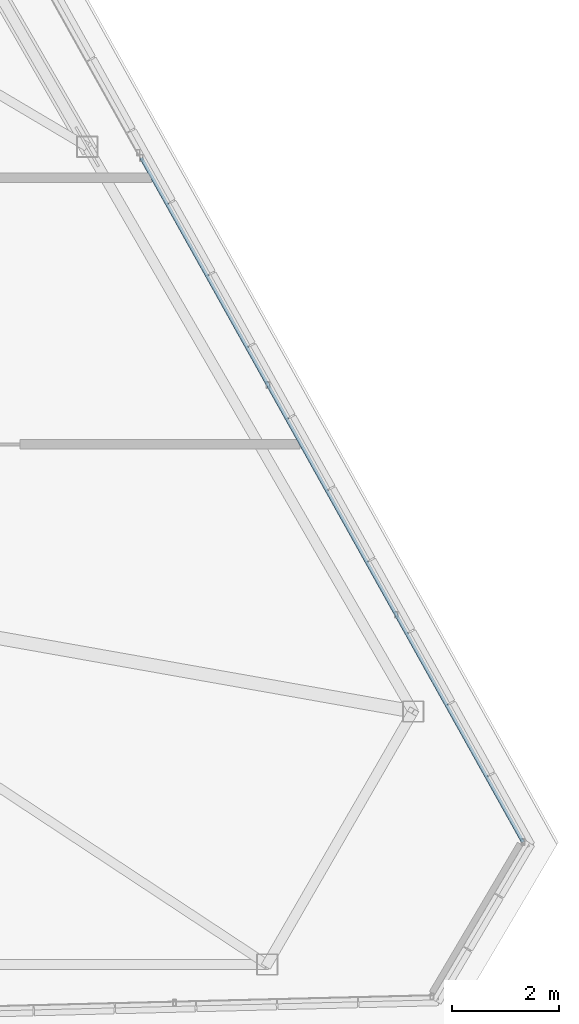
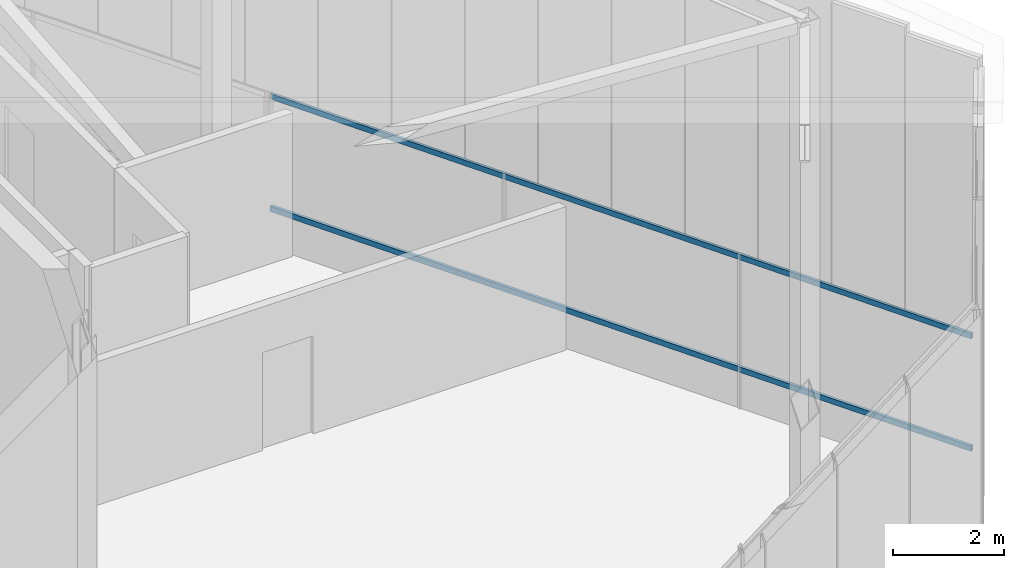
# One storey, part 27 of 50: 2 members, 1 element without a shape of its own.
"""IFC4 building model written with IfcOpenShell, lengths in metres."""

from ifc_helpers import new_model, si_unit, direction, frame, origin, origin_2d, place, context, subcontext, project, spatial, hollow_rectangle, extrude, source, transform, mapped, material, material_profile, profile_set, type_object, type_shapes, element, aggregate, save


model = new_model("IFC4")

# Units and contexts
model_context = context("Model", 3, precision=1e-05, world=origin(), true_north=direction((0.0, 1.0)))
body_context = subcontext(model_context, "Body", "Model", "MODEL_VIEW")
ifc_project = project(units=[si_unit("LENGTHUNIT", "METRE"), si_unit("AREAUNIT", "SQUARE_METRE"), si_unit("VOLUMEUNIT", "CUBIC_METRE"), si_unit("PLANEANGLEUNIT", "RADIAN"), si_unit("MASSUNIT", "GRAM", prefix="KILO")], contexts=[model_context])

# Site, building, storey
site_placement = place(None, origin())
site = spatial("IfcSite", under=ifc_project, at=site_placement, CompositionType="ELEMENT")
building_placement = place(site_placement, origin())
building = spatial("IfcBuilding", under=site, at=building_placement, Name="Caelisora Broadcast Tower", CompositionType="ELEMENT")
storey_placement = place(building_placement, frame((0.0, 0.0, 303.39990234375)))
storey = spatial("IfcBuildingStorey", under=building, at=storey_placement, Name="L80", CompositionType="ELEMENT", Elevation=303.39990234375)

# Curtain wall, members
ifc_material_1 = material(Name="Unitised Aluminium Insulated Shadow-Box Spandrel Curtain Wall", Category="aluminium")
curtain_wall_type = type_object("IfcCurtainWallType", Name="CW-SP3", PredefinedType="NOTDEFINED", material=ifc_material_1)
curtain_wall_placement = place(storey_placement, origin())
curtain_wall = element("IfcCurtainWall", 1, at=curtain_wall_placement, inside=storey, type_object=curtain_wall_type, Name="L80 curtain wall CW-SP3", PredefinedType="NOTDEFINED")
ifc_material_2 = material(Name="Aluminium 6063-T6 Anodised Terracotta Bronze", Category="aluminium")
ifc_material_profile = material_profile(ifc_material_2, hollow_rectangle(XDim=0.06005859375, YDim=0.1201171875, WallThickness=0.0029296875, at=origin_2d()), Name="Aluminium 6063-T6 Anodised Terracotta Bronze")
ifc_profile_set = profile_set([ifc_material_profile], Name="Aluminium 6063-T6 Anodised Terracotta Bronze")
member_type = type_object("IfcMemberType", Name="CWT-03", PredefinedType="USERDEFINED", material=ifc_profile_set)
shared_shape = source(origin(), body_context, "Body", "SweptSolid", [
    extrude(hollow_rectangle(XDim=0.06005859375, YDim=0.1201171875, WallThickness=0.0029296875, at=origin_2d()), origin(), (0.0, 0.0, 1.0), 14.6884765625),
])
type_shapes(member_type, [shared_shape])
member_1_placement = place(storey_placement, frame((53.978515625, 25.37158203125, 0.85009765625), z_axis=(0.487250916881, -0.873262013372, 0.0), x_axis=(0.873262013372, 0.487250916881, 0.0)))
member_1 = element("IfcMember", 2, at=member_1_placement, type_object=member_type, Name="L80-CW-B03 transom #1", ObjectType="TRANSOM", PredefinedType="USERDEFINED", context=body_context, shape_type="MappedRepresentation", body=[
    mapped(shared_shape, transform((0.0, 0.0, 0.0), scale=1.0)),
])
member_2_placement = place(storey_placement, frame((53.978515625, 25.37158203125, 3.320068359375), z_axis=(0.487250916881, -0.873262013372, 0.0), x_axis=(0.873262013372, 0.487250916881, 0.0)))
member_2 = element("IfcMember", 3, at=member_2_placement, type_object=member_type, Name="L80-CW-B03 transom #2", ObjectType="TRANSOM", PredefinedType="USERDEFINED", context=body_context, shape_type="MappedRepresentation", body=[
    mapped(shared_shape, transform((0.0, 0.0, 0.0), scale=1.0)),
])
aggregate(curtain_wall, [member_1, member_2])

save(model, "model.ifc")
